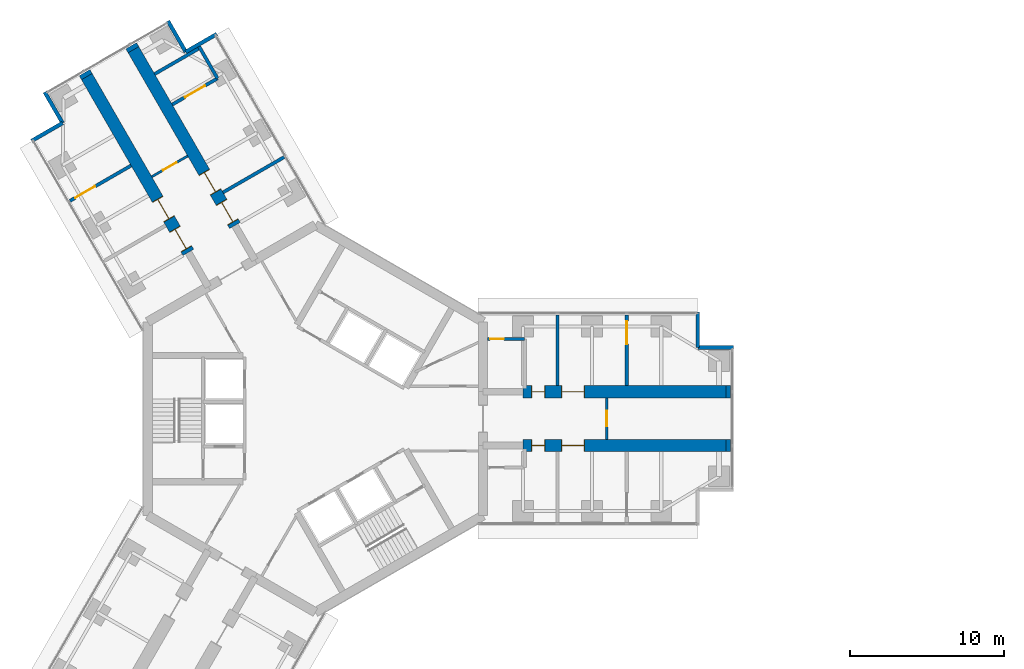
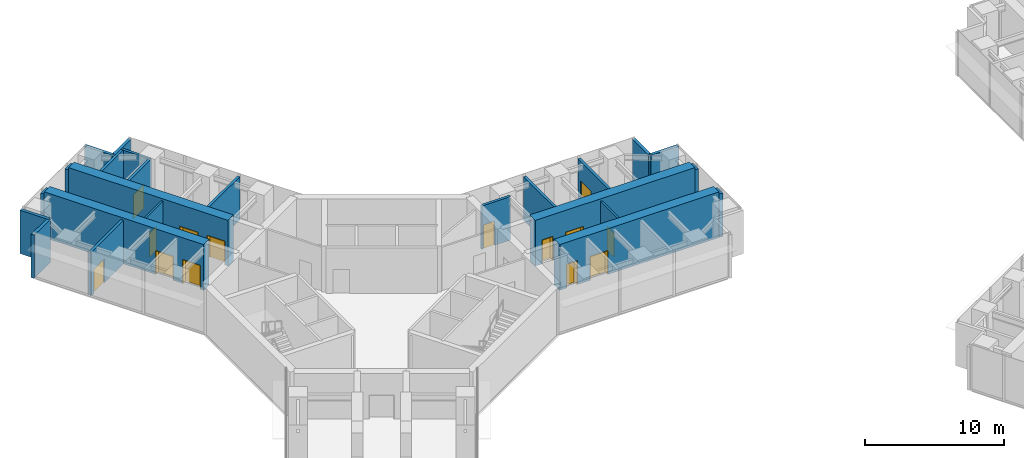
# One storey, part 17 of 21: 24 walls, 14 doors, 14 openings.
"""IFC4 building model written with IfcOpenShell, lengths in metres."""

import ifcopenshell
import ifcopenshell.guid

model = None  # the IFC model being written
_history = None  # IfcOwnerHistory: only IFC2X3 demands one
_inside = {}  # id of a spatial element -> (the spatial element, [elements in it])
_under = {}  # id of a project, library or spatial element -> (it, [spatial elements below it])
_declared = {}  # id of a project -> (the project, [libraries it declares])
_typed = {}  # id of a type object -> (the type object, [elements of that type])
_made_of = {}  # id of a material, layer set ... -> (it, [elements and type objects made of it])


def new_model(schema):
    """Start an empty IFC model of exactly this schema.

    Asked for "IFC4X3", IfcOpenShell would pick the latest addendum, in which some entities
    have other attributes; the version numbers below select the first issue.
    IFC2X3 requires an IfcOwnerHistory on every rooted entity: one is made here for all.
    """
    global model, _history
    if schema == "IFC4X3":
        model = ifcopenshell.file(schema_version=(4, 3, 0, 0))
    else:
        model = ifcopenshell.file(schema=schema)
    _inside.clear()
    _under.clear()
    _declared.clear()
    _typed.clear()
    _made_of.clear()
    _history = None
    if model.schema == "IFC2X3":
        org = make("IfcOrganization", Name="unknown")
        user = make(
            "IfcPersonAndOrganization",
            ThePerson=make("IfcPerson", FamilyName="unknown"),
            TheOrganization=org,
        )
        app = make(
            "IfcApplication",
            ApplicationDeveloper=org,
            Version="unknown",
            ApplicationFullName="unknown",
            ApplicationIdentifier="unknown",
        )
        _history = make(
            "IfcOwnerHistory",
            OwningUser=user,
            OwningApplication=app,
            ChangeAction="ADDED",
            CreationDate=0,
        )
    return model


def make(cls, **values):
    """One entity of the class cls with the attributes given. An attribute that is None is left unset."""
    return model.create_entity(
        cls, **{name: value for name, value in values.items() if value is not None}
    )


def rooted(cls, **values):
    """An entity with a GlobalId (a new one), such as an element, a storey or a relation."""
    return make(cls, GlobalId=ifcopenshell.guid.new(), OwnerHistory=_history, **values)


def si_unit(unit_type, name, prefix=None):
    """IfcSIUnit, for example si_unit("LENGTHUNIT", "METRE", prefix="MILLI")."""
    return make("IfcSIUnit", UnitType=unit_type, Prefix=prefix, Name=name)


def assignment(units):
    """IfcUnitAssignment: the units of a project."""
    return None if units is None else make("IfcUnitAssignment", Units=units)


def point(xyz):
    """IfcCartesianPoint."""
    return None if xyz is None else make("IfcCartesianPoint", Coordinates=xyz)


def direction(xyz):
    """IfcDirection."""
    return None if xyz is None else make("IfcDirection", DirectionRatios=xyz)


def frame(location, z_axis=None, x_axis=None):
    """IfcAxis2Placement3D, a coordinate frame: its origin and axes. An axis left out is left unset."""
    return make(
        "IfcAxis2Placement3D",
        Location=point(location),
        Axis=direction(z_axis),
        RefDirection=direction(x_axis),
    )


def frame_2d(location, x_axis=None):
    """IfcAxis2Placement2D, a coordinate frame in the plane: its origin and x axis."""
    return make(
        "IfcAxis2Placement2D", Location=point(location), RefDirection=direction(x_axis)
    )


def origin():
    """The frame at (0, 0, 0) with its axes left unset."""
    return frame((0.0, 0.0, 0.0))


def place(relative_to, where):
    """IfcLocalPlacement: puts the frame where relative to a parent placement (None: the world)."""
    return make(
        "IfcLocalPlacement", PlacementRelTo=relative_to, RelativePlacement=where
    )


def context(
    kind, dimensions, precision=None, world=None, true_north=None, identifier=None
):
    """IfcGeometricRepresentationContext, for example the 3D "Model" context."""
    return make(
        "IfcGeometricRepresentationContext",
        ContextIdentifier=identifier,
        ContextType=kind,
        CoordinateSpaceDimension=dimensions,
        Precision=precision,
        WorldCoordinateSystem=world,
        TrueNorth=true_north,
    )


def subcontext(parent, identifier, kind, view, scale=None):
    """IfcGeometricRepresentationSubContext, for example "Body" below "Model"."""
    return make(
        "IfcGeometricRepresentationSubContext",
        ContextIdentifier=identifier,
        ContextType=kind,
        ParentContext=parent,
        TargetScale=scale,
        TargetView=view,
    )


def project(units=None, contexts=None):
    """IfcProject with its units and contexts."""
    return rooted(
        "IfcProject",
        Name="project",
        RepresentationContexts=contexts,
        UnitsInContext=assignment(units),
    )


def spatial(cls, under=None, at=None, **own):
    """A site, building, storey or space (cls), placed at a placement, below another one or the project."""
    s = rooted(cls, ObjectPlacement=at, **own)
    if under is not None:
        _under.setdefault(under.id(), (under, []))[1].append(s)
    return s


def profile(cls, at=None, kind="AREA", **sizes):
    """A parametric profile (cls). Its sizes go by their IFC names, for example OverallWidth=200.0."""
    return make(cls, ProfileType=kind, Position=at, **sizes)


def rectangle(**sizes):
    """IfcRectangleProfileDef."""
    return profile("IfcRectangleProfileDef", **sizes)


def extrude(swept, where, along, depth):
    """IfcExtrudedAreaSolid: the profile swept, set in the frame where, extruded along a direction by depth."""
    return make(
        "IfcExtrudedAreaSolid",
        SweptArea=swept,
        Position=where,
        ExtrudedDirection=direction(along),
        Depth=depth,
    )


def shape(context_of_items, identifier, shape_type, items):
    """IfcShapeRepresentation: the items that make up one representation, for example the "Body"."""
    return make(
        "IfcShapeRepresentation",
        ContextOfItems=context_of_items,
        RepresentationIdentifier=identifier,
        RepresentationType=shape_type,
        Items=items,
    )


def material(Name=None, Category=None):
    """IfcMaterial."""
    return make("IfcMaterial", Name=Name, Category=Category)


def layer(
    of_material, thickness, ventilated=None, Name=None, Category=None, Priority=None
):
    """IfcMaterialLayer: one layer of a wall or slab, of a material (None: an air gap)."""
    return make(
        "IfcMaterialLayer",
        Material=of_material,
        LayerThickness=thickness,
        IsVentilated=ventilated,
        Name=Name,
        Category=Category,
        Priority=Priority,
    )


def layer_set(layers, Name=None):
    """IfcMaterialLayerSet."""
    return make("IfcMaterialLayerSet", MaterialLayers=layers, LayerSetName=Name)


def made_of(thing, what):
    """Note that an element or type object is made of a material, layer set ...; save() writes the relation."""
    if what is not None:
        _made_of.setdefault(what.id(), (what, []))[1].append(thing)
    return thing


def type_object(cls, material=None, **own):
    """A type object (cls), such as IfcWallType, which elements share."""
    return made_of(rooted(cls, **own), material)


def element(
    cls,
    number,
    at=None,
    inside=None,
    cuts=None,
    type_object=None,
    material=None,
    context=None,
    identifier="Body",
    shape_type=None,
    held_by="IfcProductDefinitionShape",
    body=None,
    shapes=None,
    **own,
):
    """One element of the class cls, such as IfcWall. Its Tag is "e" and its number.

    at: its placement. inside: the storey or other place that contains it. cuts: it is an
    opening in that element (IfcRelVoidsElement). A single representation is given by context,
    identifier, shape_type and body (its items); several are given by shapes. held_by: the class
    of the entity that holds the representations. save() writes the other relations.
    """
    e = rooted(cls, Tag="e%d" % number, ObjectPlacement=at, **own)
    if body is not None:
        shapes = [shape(context, identifier, shape_type, body)]
    if shapes is not None:
        e.Representation = make(held_by, Representations=shapes)
    if inside is not None:
        _inside.setdefault(inside.id(), (inside, []))[1].append(e)
    if cuts is not None:
        rooted(
            "IfcRelVoidsElement", RelatingBuildingElement=cuts, RelatedOpeningElement=e
        )
    if type_object is not None:
        _typed.setdefault(type_object.id(), (type_object, []))[1].append(e)
    return made_of(e, material)


def fill(opening, filler):
    """IfcRelFillsElement: the door or window that sits in an opening."""
    return rooted(
        "IfcRelFillsElement",
        RelatingOpeningElement=opening,
        RelatedBuildingElement=filler,
    )


def aggregate(whole, parts):
    """IfcRelAggregates: a whole, such as a stair, and the parts it consists of."""
    return rooted("IfcRelAggregates", RelatingObject=whole, RelatedObjects=parts)


def save(model, path):
    """Write the relations noted so far, then the file.

    IfcRelAggregates (storeys below a building ...), IfcRelContainedInSpatialStructure (elements
    in a storey), IfcRelDefinesByType, IfcRelAssociatesMaterial and IfcRelDeclares: one each for
    every whole, place, type object, material and project.
    """
    for whole, parts in _under.values():
        aggregate(whole, parts)
    for where, things in _inside.values():
        rooted(
            "IfcRelContainedInSpatialStructure",
            RelatedElements=things,
            RelatingStructure=where,
        )
    for kind, things in _typed.values():
        rooted("IfcRelDefinesByType", RelatedObjects=things, RelatingType=kind)
    for what, things in _made_of.values():
        rooted("IfcRelAssociatesMaterial", RelatedObjects=things, RelatingMaterial=what)
    for by, libraries in _declared.values():
        rooted("IfcRelDeclares", RelatingContext=by, RelatedDefinitions=libraries)
    model.write(path)


model = new_model("IFC4")

# Units and contexts
model_context = context("Model", 3, precision=1e-05, world=origin(), true_north=direction((0.0, 1.0)))
body_context = subcontext(model_context, "Body", "Model", "MODEL_VIEW")
ifc_project = project(units=[si_unit("LENGTHUNIT", "METRE"), si_unit("AREAUNIT", "SQUARE_METRE"), si_unit("VOLUMEUNIT", "CUBIC_METRE"), si_unit("PLANEANGLEUNIT", "RADIAN"), si_unit("MASSUNIT", "GRAM", prefix="KILO")], contexts=[model_context])

# Site, building, storey
site_placement = place(None, origin())
site = spatial("IfcSite", under=ifc_project, at=site_placement, CompositionType="ELEMENT")
building_placement = place(site_placement, origin())
building = spatial("IfcBuilding", under=site, at=building_placement, Name="Upepo Twin Towers", CompositionType="ELEMENT")
storey_placement = place(building_placement, frame((0.0, 0.0, 113.5)))
storey = spatial("IfcBuildingStorey", under=building, at=storey_placement, Name="L27", CompositionType="ELEMENT", Elevation=113.5)

# Wall
ifc_material_1 = material(Name="Concrete blockwork, plastered both faces", Category="masonry")
ifc_layer_1 = layer(ifc_material_1, 0.215087890625)
ifc_layer_set_1 = layer_set([ifc_layer_1], Name="Blockwork partition 215")
wall_type_1 = type_object("IfcWallType", Name="Blockwork partition 215", PredefinedType="PARTITIONING", material=ifc_layer_set_1)
wall_1_placement = place(storey_placement, frame((15.75, 2.14990234375, 0.0), z_axis=(0.0, 0.0, 1.0), x_axis=(0.0, 1.0, 0.0)))
element("IfcWall", 1, at=wall_1_placement, inside=storey, type_object=wall_type_1, Name="T1 partition AL at 15.75", PredefinedType="PARTITIONING", context=body_context, shape_type="SweptSolid", body=[
    extrude(rectangle(XDim=4.60009765625, YDim=0.215087890625, at=frame_2d((2.300048828125, 0.0))), origin(), (0.0, 0.0, 1.0), 3.800048828125),
])

# Wall, opening, door
wall_2_placement = place(storey_placement, frame((20.25, 2.14990234375, 0.0), z_axis=(0.0, 0.0, 1.0), x_axis=(0.0, 1.0, 0.0)))
wall_2 = element("IfcWall", 2, at=wall_2_placement, inside=storey, type_object=wall_type_1, Name="T1 partition AL at 20.25", PredefinedType="PARTITIONING", context=body_context, shape_type="SweptSolid", body=[
    extrude(rectangle(XDim=4.60009765625, YDim=0.215087890625, at=frame_2d((2.300048828125, 0.0))), origin(), (0.0, 0.0, 1.0), 3.800048828125),
])
opening_1_placement = place(wall_2_placement, frame((2.699951171875, 0.0, 0.0)))
opening_1 = element("IfcOpeningElement", 3, at=opening_1_placement, cuts=wall_2, Name="Opening D13", PredefinedType="OPENING", context=body_context, shape_type="SweptSolid", body=[
    extrude(rectangle(XDim=1.5, YDim=2.10009765625, at=frame_2d((0.75, 1.050048828125))), frame((0.0, 0.117431640625, 0.0), z_axis=(0.0, -1.0, 0.0), x_axis=(1.0, 0.0, 0.0)), (0.0, 0.0, 1.0), 0.235107421875),
])
ifc_material_2 = material(Name="Timber doorset", Category="wood")
door_type_1 = type_object("IfcDoorType", Name="Double door 1500 FD30", OperationType="DOUBLE_DOOR_SINGLE_SWING", PredefinedType="DOOR", material=ifc_material_2)
door_1_placement = place(opening_1_placement, origin())
door_1 = element("IfcDoor", 4, at=door_1_placement, inside=storey, type_object=door_type_1, Name="T1 L27 connecting door", OperationType="DOUBLE_DOOR_SINGLE_SWING", OverallHeight=2.10009765625, OverallWidth=1.5, PredefinedType="DOOR", context=body_context, shape_type="SweptSolid", body=[
    extrude(rectangle(XDim=1.5, YDim=2.10009765625, at=frame_2d((0.75, 1.050048828125))), frame((0.0, 0.02490234375, 0.0), z_axis=(0.0, -1.0, 0.0), x_axis=(1.0, 0.0, 0.0)), (0.0, 0.0, 1.0), 0.050048828125),
])
fill(opening_1, door_1)

wall_3_placement = place(storey_placement, frame((11.2080078125, 5.175048828125, 0.0), z_axis=(0.0, 0.0, 1.0), x_axis=(1.0, 0.0, 0.0)))
wall_3 = element("IfcWall", 5, at=wall_3_placement, inside=storey, type_object=wall_type_1, Name="T1 WC bay partition AL at 11.21", PredefinedType="PARTITIONING", context=body_context, shape_type="SweptSolid", body=[
    extrude(rectangle(XDim=2.39990234375, YDim=0.215087890625, at=frame_2d((1.199951171875, 0.0))), origin(), (0.0, 0.0, 1.0), 3.800048828125),
])
opening_2_placement = place(wall_3_placement, frame((0.14990234375, 0.0, 0.0)))
opening_2 = element("IfcOpeningElement", 6, at=opening_2_placement, cuts=wall_3, Name="Opening D14", PredefinedType="OPENING", context=body_context, shape_type="SweptSolid", body=[
    extrude(rectangle(XDim=0.89990234375, YDim=2.10009765625, at=frame_2d((0.449951171875, 1.050048828125))), frame((0.0, 0.117431640625, 0.0), z_axis=(0.0, -1.0, 0.0), x_axis=(1.0, 0.0, 0.0)), (0.0, 0.0, 1.0), 0.235107421875),
])
ifc_material_3 = material(Name="Timber doorset", Category="wood")
door_type_2 = type_object("IfcDoorType", Name="Office door 900 FD30", OperationType="SINGLE_SWING_LEFT", PredefinedType="DOOR", material=ifc_material_3)
door_2_placement = place(opening_2_placement, origin())
door_2 = element("IfcDoor", 7, at=door_2_placement, inside=storey, type_object=door_type_2, Name="T1 L27 WC bay inner room door", OperationType="SINGLE_SWING_LEFT", OverallHeight=2.10009765625, OverallWidth=0.89990234375, PredefinedType="DOOR", context=body_context, shape_type="SweptSolid", body=[
    extrude(rectangle(XDim=0.89990234375, YDim=2.10009765625, at=frame_2d((0.449951171875, 1.050048828125))), frame((0.0, 0.02490234375, 0.0), z_axis=(0.0, -1.0, 0.0), x_axis=(1.0, 0.0, 0.0)), (0.0, 0.0, 1.0), 0.050048828125),
])
fill(opening_2, door_2)

wall_4_placement = place(storey_placement, frame((-11.987060546875, 16.4619140625, 0.0), z_axis=(0.0, 0.0, 1.0), x_axis=(-0.866039752405, -0.499975146636, 0.0)))
wall_4 = element("IfcWall", 8, at=wall_4_placement, inside=storey, type_object=wall_type_1, Name="T1 partition BL at 20.25", PredefinedType="PARTITIONING", context=body_context, shape_type="SweptSolid", body=[
    extrude(rectangle(XDim=4.599853515625, YDim=0.215087890625, at=frame_2d((2.2998046875, 0.0))), origin(), (0.0, 0.0, 1.0), 3.800048828125),
])
opening_3_placement = place(wall_4_placement, frame((2.699951171875, 0.0, 0.0)))
opening_3 = element("IfcOpeningElement", 9, at=opening_3_placement, cuts=wall_4, Name="Opening D13", PredefinedType="OPENING", context=body_context, shape_type="SweptSolid", body=[
    extrude(rectangle(XDim=1.5, YDim=2.10009765625, at=frame_2d((0.75, 1.050048828125))), frame((0.0, 0.117431640625, 0.0), z_axis=(0.0, -1.0, 0.0), x_axis=(1.0, 0.0, 0.0)), (0.0, 0.0, 1.0), 0.235107421875),
])
door_3_placement = place(opening_3_placement, origin())
door_3 = element("IfcDoor", 10, at=door_3_placement, inside=storey, type_object=door_type_1, Name="T1 L27 connecting door", OperationType="DOUBLE_DOOR_SINGLE_SWING", OverallHeight=2.10009765625, OverallWidth=1.5, PredefinedType="DOOR", context=body_context, shape_type="SweptSolid", body=[
    extrude(rectangle(XDim=1.5, YDim=2.10009765625, at=frame_2d((0.75, 1.050048828125))), frame((0.0, 0.02490234375, 0.0), z_axis=(0.0, -1.0, 0.0), x_axis=(1.0, 0.0, 0.0)), (0.0, 0.0, 1.0), 0.050048828125),
])
fill(opening_3, door_3)

# Walls
wall_5_placement = place(storey_placement, frame((-6.012939453125, 14.71484375, 0.0), z_axis=(0.0, 0.0, 1.0), x_axis=(0.866016770315, 0.500014953309, 0.0)))
element("IfcWall", 11, at=wall_5_placement, inside=storey, type_object=wall_type_1, Name="T1 partition BR at 15.75", PredefinedType="PARTITIONING", context=body_context, shape_type="SweptSolid", body=[
    extrude(rectangle(XDim=4.599853515625, YDim=0.215087890625, at=frame_2d((2.2998046875, 0.0))), origin(), (0.0, 0.0, 1.0), 3.800048828125),
])
wall_6_placement = place(storey_placement, frame((-6.36865234375, 22.130615234375, 0.0), z_axis=(0.0, 0.0, 1.0), x_axis=(-0.499957262057, 0.866050077142, 0.0)))
element("IfcWall", 12, at=wall_6_placement, inside=storey, type_object=wall_type_1, Name="T1 inner room partition BR at 22.35", PredefinedType="PARTITIONING", context=body_context, shape_type="SweptSolid", body=[
    extrude(rectangle(XDim=2.400146484375, YDim=0.215087890625, at=frame_2d((1.2001953125, 0.0))), origin(), (0.0, 0.0, 1.0), 3.800048828125),
])

# Wall, opening, door
wall_7_placement = place(storey_placement, frame((-9.31298828125, 20.4306640625, 0.0), z_axis=(0.0, 0.0, 1.0), x_axis=(0.866020560687, 0.500008388397, 0.0)))
wall_7 = element("IfcWall", 13, at=wall_7_placement, inside=storey, type_object=wall_type_1, Name="T1 inner room partition BR end at 22.35", PredefinedType="PARTITIONING", context=body_context, shape_type="SweptSolid", body=[
    extrude(rectangle(XDim=3.39990234375, YDim=0.215087890625, at=frame_2d((1.699951171875, 0.0))), origin(), (0.0, 0.0, 1.0), 3.800048828125),
])
opening_4_placement = place(wall_7_placement, frame((0.949951171875, 0.0, 0.0)))
opening_4 = element("IfcOpeningElement", 14, at=opening_4_placement, cuts=wall_7, Name="Opening D13", PredefinedType="OPENING", context=body_context, shape_type="SweptSolid", body=[
    extrude(rectangle(XDim=1.5, YDim=2.10009765625, at=frame_2d((0.75, 1.050048828125))), frame((0.0, 0.117431640625, 0.0), z_axis=(0.0, -1.0, 0.0), x_axis=(1.0, 0.0, 0.0)), (0.0, 0.0, 1.0), 0.235107421875),
])
door_4_placement = place(opening_4_placement, origin())
door_4 = element("IfcDoor", 15, at=door_4_placement, inside=storey, type_object=door_type_1, Name="T1 L27 inner room door", OperationType="DOUBLE_DOOR_SINGLE_SWING", OverallHeight=2.10009765625, OverallWidth=1.5, PredefinedType="DOOR", context=body_context, shape_type="SweptSolid", body=[
    extrude(rectangle(XDim=1.5, YDim=2.10009765625, at=frame_2d((0.75, 1.050048828125))), frame((0.0, 0.02490234375, 0.0), z_axis=(0.0, -1.0, 0.0), x_axis=(1.0, 0.0, 0.0)), (0.0, 0.0, 1.0), 0.050048828125),
])
fill(opening_4, door_4)

# Walls
wall_8_placement = place(storey_placement, frame((-10.459228515625, 22.416015625, 0.0), z_axis=(0.0, 0.0, 1.0), x_axis=(0.866020560687, 0.500008388397, 0.0)))
element("IfcWall", 16, at=wall_8_placement, inside=storey, type_object=wall_type_1, Name="T1 inner room partition BR end at 24.75", PredefinedType="PARTITIONING", context=body_context, shape_type="SweptSolid", body=[
    extrude(rectangle(XDim=3.39990234375, YDim=0.215087890625, at=frame_2d((1.699951171875, 0.0))), origin(), (0.0, 0.0, 1.0), 3.800048828125),
])
ifc_material_4 = material(Name="Dense concrete blockwork", Category="masonry")
ifc_layer_2 = layer(ifc_material_4, 0.800048828125)
ifc_layer_set_2 = layer_set([ifc_layer_2], Name="Buttress closer 800, blockwork with fire-stopping to the curtain wall")
wall_type_2 = type_object("IfcWallType", Name="Buttress closer 800, blockwork with fire-stopping to the curtain wall", PredefinedType="PARTITIONING", material=ifc_layer_set_2)
for number, where, z_axis, x_axis, name in (
    (17, (26.699951171875, 1.75, 0.0), (0.0, 0.0, 1.0), (1.0, 0.0, 0.0), "T1 L27 wing A buttress closer L"),
    (18, (26.699951171875, -1.75, 0.0), (0.0, 0.0, 1.0), (1.0, 0.0, 0.0), "T1 L27 wing A buttress closer R"),
    (19, (-14.865478515625, 22.247802734375, 0.0), (0.0, 0.0, 1.0), (-0.500426713919, 0.865778900179, 0.0), "T1 L27 wing B buttress closer L"),
):
    element("IfcWall", number, at=place(storey_placement, frame(where, z_axis=z_axis, x_axis=x_axis)), inside=storey, type_object=wall_type_2, Name=name, PredefinedType="PARTITIONING", context=body_context, shape_type="SweptSolid", body=[
        extrude(rectangle(XDim=0.300048828125, YDim=0.800048828125, at=frame_2d((0.14990234375, 0.0))), origin(), (0.0, 0.0, 1.0), 3.800048828125),
    ])
wall_9_placement = place(storey_placement, frame((-11.83447265625, 23.997802734375, 0.0), z_axis=(0.0, 0.0, 1.0), x_axis=(-0.499816412211, 0.866131372301, 0.0)))
element("IfcWall", 20, at=wall_9_placement, inside=storey, type_object=wall_type_2, Name="T1 L27 wing B buttress closer R", PredefinedType="PARTITIONING", context=body_context, shape_type="SweptSolid", body=[
    extrude(rectangle(XDim=0.2998046875, YDim=0.800048828125, at=frame_2d((0.14990234375, 0.0))), origin(), (0.0, 0.0, 1.0), 3.800048828125),
])

# Wall, openings, doors
ifc_material_5 = material(Name="Concrete C60/75", Category="concrete")
ifc_layer_3 = layer(ifc_material_5, 0.800048828125)
ifc_layer_set_3 = layer_set([ifc_layer_3], Name="Concrete C60/75")
wall_type_3 = type_object("IfcWallType", Name="Buttress wall 800 RC", PredefinedType="SHEAR", material=ifc_layer_set_3)
wall_10_placement = place(storey_placement, frame((13.5, 1.75, 0.0), z_axis=(0.0, 0.0, 1.0), x_axis=(1.0, 0.0, 0.0)))
wall_10 = element("IfcWall", 21, at=wall_10_placement, inside=storey, type_object=wall_type_3, Name="T1 wing A buttress wall L part 2", PredefinedType="SHEAR", context=body_context, shape_type="SweptSolid", body=[
    extrude(rectangle(XDim=13.199951171875, YDim=0.800048828125, at=frame_2d((6.60009765625, 0.0))), origin(), (0.0, 0.0, 1.0), 4.0),
])
opening_5_placement = place(wall_10_placement, frame((0.550048828125, 0.0, 0.0)))
opening_5 = element("IfcOpeningElement", 22, at=opening_5_placement, cuts=wall_10, Name="Opening D11", PredefinedType="OPENING", context=body_context, shape_type="SweptSolid", body=[
    extrude(rectangle(XDim=0.89990234375, YDim=2.10009765625, at=frame_2d((0.449951171875, 1.050048828125))), frame((0.0, 0.409912109375, 0.0), z_axis=(0.0, -1.0, 0.0), x_axis=(1.0, 0.0, 0.0)), (0.0, 0.0, 1.0), 0.820068359375),
])
opening_6_placement = place(wall_10_placement, frame((2.5, 0.0, 0.0)))
opening_6 = element("IfcOpeningElement", 23, at=opening_6_placement, cuts=wall_10, Name="Opening D13", PredefinedType="OPENING", context=body_context, shape_type="SweptSolid", body=[
    extrude(rectangle(XDim=1.5, YDim=2.10009765625, at=frame_2d((0.75, 1.050048828125))), frame((0.0, 0.409912109375, 0.0), z_axis=(0.0, -1.0, 0.0), x_axis=(1.0, 0.0, 0.0)), (0.0, 0.0, 1.0), 0.820068359375),
])
door_5_placement = place(opening_6_placement, origin())
door_5 = element("IfcDoor", 24, at=door_5_placement, inside=storey, type_object=door_type_1, Name="T1 L27 instrument room door", OperationType="DOUBLE_DOOR_SINGLE_SWING", OverallHeight=2.10009765625, OverallWidth=1.5, PredefinedType="DOOR", context=body_context, shape_type="SweptSolid", body=[
    extrude(rectangle(XDim=1.42, YDim=2.06009765625, at=frame_2d((0.75, 1.030029296875))), frame((0.0, 0.02490234375, 0.0), z_axis=(0.0, -1.0, 0.0), x_axis=(1.0, 0.0, 0.0)), (0.0, 0.0, 1.0), 0.050048828125),
    extrude(rectangle(XDim=0.04, YDim=2.10009765625, at=frame_2d((0.02001953125, 1.050048828125))), frame((0.0, 0.39990234375, 0.0), z_axis=(0.0, -1.0, 0.0), x_axis=(1.0, 0.0, 0.0)), (0.0, 0.0, 1.0), 0.799560546875),
    extrude(rectangle(XDim=0.04, YDim=2.10009765625, at=frame_2d((1.47998046875, 1.050048828125))), frame((0.0, 0.39990234375, 0.0), z_axis=(0.0, -1.0, 0.0), x_axis=(1.0, 0.0, 0.0)), (0.0, 0.0, 1.0), 0.799560546875),
    extrude(rectangle(XDim=1.42, YDim=0.04, at=frame_2d((0.75, 2.080078125))), frame((0.0, 0.39990234375, 0.0), z_axis=(0.0, -1.0, 0.0), x_axis=(1.0, 0.0, 0.0)), (0.0, 0.0, 1.0), 0.799560546875),
])
fill(opening_6, door_5)
ifc_material_6 = material(Name="Timber doorset", Category="wood")
door_type_3 = type_object("IfcDoorType", Name="Toilet door 900", OperationType="SINGLE_SWING_LEFT", PredefinedType="DOOR", material=ifc_material_6)
door_6_placement = place(opening_5_placement, origin())
door_6 = element("IfcDoor", 25, at=door_6_placement, inside=storey, type_object=door_type_3, Name="T1 L27 accessible wc door", OperationType="SINGLE_SWING_LEFT", OverallHeight=2.10009765625, OverallWidth=0.89990234375, PredefinedType="DOOR", context=body_context, shape_type="SweptSolid", body=[
    extrude(rectangle(XDim=0.81990234375, YDim=2.06009765625, at=frame_2d((0.449951171875, 1.030029296875))), frame((0.0, 0.02490234375, 0.0), z_axis=(0.0, -1.0, 0.0), x_axis=(1.0, 0.0, 0.0)), (0.0, 0.0, 1.0), 0.050048828125),
    extrude(rectangle(XDim=0.04, YDim=2.10009765625, at=frame_2d((0.02001953125, 1.050048828125))), frame((0.0, 0.39990234375, 0.0), z_axis=(0.0, -1.0, 0.0), x_axis=(1.0, 0.0, 0.0)), (0.0, 0.0, 1.0), 0.799560546875),
    extrude(rectangle(XDim=0.04, YDim=2.10009765625, at=frame_2d((0.8798828125, 1.050048828125))), frame((0.0, 0.39990234375, 0.0), z_axis=(0.0, -1.0, 0.0), x_axis=(1.0, 0.0, 0.0)), (0.0, 0.0, 1.0), 0.799560546875),
    extrude(rectangle(XDim=0.81990234375, YDim=0.04, at=frame_2d((0.449951171875, 2.080078125))), frame((0.0, 0.39990234375, 0.0), z_axis=(0.0, -1.0, 0.0), x_axis=(1.0, 0.0, 0.0)), (0.0, 0.0, 1.0), 0.799560546875),
])
fill(opening_5, door_6)

wall_11_placement = place(storey_placement, frame((13.5, -1.75, 0.0), z_axis=(0.0, 0.0, 1.0), x_axis=(1.0, 0.0, 0.0)))
wall_11 = element("IfcWall", 26, at=wall_11_placement, inside=storey, type_object=wall_type_3, Name="T1 wing A buttress wall R part 2", PredefinedType="SHEAR", context=body_context, shape_type="SweptSolid", body=[
    extrude(rectangle(XDim=13.199951171875, YDim=0.800048828125, at=frame_2d((6.60009765625, 0.0))), origin(), (0.0, 0.0, 1.0), 4.0),
])
opening_7_placement = place(wall_11_placement, frame((0.550048828125, 0.0, 0.0)))
opening_7 = element("IfcOpeningElement", 27, at=opening_7_placement, cuts=wall_11, Name="Opening D11", PredefinedType="OPENING", context=body_context, shape_type="SweptSolid", body=[
    extrude(rectangle(XDim=0.89990234375, YDim=2.10009765625, at=frame_2d((0.449951171875, 1.050048828125))), frame((0.0, 0.409912109375, 0.0), z_axis=(0.0, -1.0, 0.0), x_axis=(1.0, 0.0, 0.0)), (0.0, 0.0, 1.0), 0.820068359375),
])
opening_8_placement = place(wall_11_placement, frame((2.5, 0.0, 0.0)))
opening_8 = element("IfcOpeningElement", 28, at=opening_8_placement, cuts=wall_11, Name="Opening D13", PredefinedType="OPENING", context=body_context, shape_type="SweptSolid", body=[
    extrude(rectangle(XDim=1.5, YDim=2.10009765625, at=frame_2d((0.75, 1.050048828125))), frame((0.0, 0.409912109375, 0.0), z_axis=(0.0, -1.0, 0.0), x_axis=(1.0, 0.0, 0.0)), (0.0, 0.0, 1.0), 0.820068359375),
])
door_7_placement = place(opening_8_placement, origin())
door_7 = element("IfcDoor", 29, at=door_7_placement, inside=storey, type_object=door_type_1, Name="T1 L27 laboratory prep room door", OperationType="DOUBLE_DOOR_SINGLE_SWING", OverallHeight=2.10009765625, OverallWidth=1.5, PredefinedType="DOOR", context=body_context, shape_type="SweptSolid", body=[
    extrude(rectangle(XDim=1.42, YDim=2.06009765625, at=frame_2d((0.75, 1.030029296875))), frame((0.0, 0.02490234375, 0.0), z_axis=(0.0, -1.0, 0.0), x_axis=(1.0, 0.0, 0.0)), (0.0, 0.0, 1.0), 0.050048828125),
    extrude(rectangle(XDim=0.04, YDim=2.10009765625, at=frame_2d((0.02001953125, 1.050048828125))), frame((0.0, 0.39990234375, 0.0), z_axis=(0.0, -1.0, 0.0), x_axis=(1.0, 0.0, 0.0)), (0.0, 0.0, 1.0), 0.799560546875),
    extrude(rectangle(XDim=0.04, YDim=2.10009765625, at=frame_2d((1.47998046875, 1.050048828125))), frame((0.0, 0.39990234375, 0.0), z_axis=(0.0, -1.0, 0.0), x_axis=(1.0, 0.0, 0.0)), (0.0, 0.0, 1.0), 0.799560546875),
    extrude(rectangle(XDim=1.42, YDim=0.04, at=frame_2d((0.75, 2.080078125))), frame((0.0, 0.39990234375, 0.0), z_axis=(0.0, -1.0, 0.0), x_axis=(1.0, 0.0, 0.0)), (0.0, 0.0, 1.0), 0.799560546875),
])
fill(opening_8, door_7)
door_8_placement = place(opening_7_placement, origin())
door_8 = element("IfcDoor", 30, at=door_8_placement, inside=storey, type_object=door_type_3, Name="T1 L27 toilets door", OperationType="SINGLE_SWING_LEFT", OverallHeight=2.10009765625, OverallWidth=0.89990234375, PredefinedType="DOOR", context=body_context, shape_type="SweptSolid", body=[
    extrude(rectangle(XDim=0.81990234375, YDim=2.06009765625, at=frame_2d((0.449951171875, 1.030029296875))), frame((0.0, 0.02490234375, 0.0), z_axis=(0.0, -1.0, 0.0), x_axis=(1.0, 0.0, 0.0)), (0.0, 0.0, 1.0), 0.050048828125),
    extrude(rectangle(XDim=0.04, YDim=2.10009765625, at=frame_2d((0.02001953125, 1.050048828125))), frame((0.0, 0.39990234375, 0.0), z_axis=(0.0, -1.0, 0.0), x_axis=(1.0, 0.0, 0.0)), (0.0, 0.0, 1.0), 0.799560546875),
    extrude(rectangle(XDim=0.04, YDim=2.10009765625, at=frame_2d((0.8798828125, 1.050048828125))), frame((0.0, 0.39990234375, 0.0), z_axis=(0.0, -1.0, 0.0), x_axis=(1.0, 0.0, 0.0)), (0.0, 0.0, 1.0), 0.799560546875),
    extrude(rectangle(XDim=0.81990234375, YDim=0.04, at=frame_2d((0.449951171875, 2.080078125))), frame((0.0, 0.39990234375, 0.0), z_axis=(0.0, -1.0, 0.0), x_axis=(1.0, 0.0, 0.0)), (0.0, 0.0, 1.0), 0.799560546875),
])
fill(opening_7, door_8)

wall_12_placement = place(storey_placement, frame((-8.265625, 10.81640625, 0.0), z_axis=(0.0, 0.0, 1.0), x_axis=(-0.499996231654, 0.866027579429, 0.0)))
wall_12 = element("IfcWall", 31, at=wall_12_placement, inside=storey, type_object=wall_type_3, Name="T1 wing B buttress wall L part 2", PredefinedType="SHEAR", context=body_context, shape_type="SweptSolid", body=[
    extrude(rectangle(XDim=13.19970703125, YDim=0.800048828125, at=frame_2d((6.599853515625, 0.0))), origin(), (0.0, 0.0, 1.0), 4.0),
])
opening_9_placement = place(wall_12_placement, frame((0.25, 0.0, 0.0)))
opening_9 = element("IfcOpeningElement", 32, at=opening_9_placement, cuts=wall_12, Name="Opening D13", PredefinedType="OPENING", context=body_context, shape_type="SweptSolid", body=[
    extrude(rectangle(XDim=1.5, YDim=2.10009765625, at=frame_2d((0.75, 1.050048828125))), frame((0.0, 0.409912109375, 0.0), z_axis=(0.0, -1.0, 0.0), x_axis=(1.0, 0.0, 0.0)), (0.0, 0.0, 1.0), 0.820068359375),
])
opening_10_placement = place(wall_12_placement, frame((2.5, 0.0, 0.0)))
opening_10 = element("IfcOpeningElement", 33, at=opening_10_placement, cuts=wall_12, Name="Opening D13", PredefinedType="OPENING", context=body_context, shape_type="SweptSolid", body=[
    extrude(rectangle(XDim=1.5, YDim=2.10009765625, at=frame_2d((0.75, 1.050048828125))), frame((0.0, 0.409912109375, 0.0), z_axis=(0.0, -1.0, 0.0), x_axis=(1.0, 0.0, 0.0)), (0.0, 0.0, 1.0), 0.820068359375),
])
door_9_placement = place(opening_9_placement, origin())
door_9 = element("IfcDoor", 34, at=door_9_placement, inside=storey, type_object=door_type_1, Name="T1 L27 instrument room door", OperationType="DOUBLE_DOOR_SINGLE_SWING", OverallHeight=2.10009765625, OverallWidth=1.5, PredefinedType="DOOR", context=body_context, shape_type="SweptSolid", body=[
    extrude(rectangle(XDim=1.42, YDim=2.06009765625, at=frame_2d((0.75, 1.030029296875))), frame((0.0, 0.02490234375, 0.0), z_axis=(0.0, -1.0, 0.0), x_axis=(1.0, 0.0, 0.0)), (0.0, 0.0, 1.0), 0.050048828125),
    extrude(rectangle(XDim=0.04, YDim=2.10009765625, at=frame_2d((0.02001953125, 1.050048828125))), frame((0.0, 0.39990234375, 0.0), z_axis=(0.0, -1.0, 0.0), x_axis=(1.0, 0.0, 0.0)), (0.0, 0.0, 1.0), 0.799560546875),
    extrude(rectangle(XDim=0.04, YDim=2.10009765625, at=frame_2d((1.47998046875, 1.050048828125))), frame((0.0, 0.39990234375, 0.0), z_axis=(0.0, -1.0, 0.0), x_axis=(1.0, 0.0, 0.0)), (0.0, 0.0, 1.0), 0.799560546875),
    extrude(rectangle(XDim=1.42, YDim=0.04, at=frame_2d((0.75, 2.080078125))), frame((0.0, 0.39990234375, 0.0), z_axis=(0.0, -1.0, 0.0), x_axis=(1.0, 0.0, 0.0)), (0.0, 0.0, 1.0), 0.799560546875),
])
fill(opening_9, door_9)
door_10_placement = place(opening_10_placement, origin())
door_10 = element("IfcDoor", 35, at=door_10_placement, inside=storey, type_object=door_type_1, Name="T1 L27 write-up room door", OperationType="DOUBLE_DOOR_SINGLE_SWING", OverallHeight=2.10009765625, OverallWidth=1.5, PredefinedType="DOOR", context=body_context, shape_type="SweptSolid", body=[
    extrude(rectangle(XDim=1.42, YDim=2.06009765625, at=frame_2d((0.75, 1.030029296875))), frame((0.0, 0.02490234375, 0.0), z_axis=(0.0, -1.0, 0.0), x_axis=(1.0, 0.0, 0.0)), (0.0, 0.0, 1.0), 0.050048828125),
    extrude(rectangle(XDim=0.04, YDim=2.10009765625, at=frame_2d((0.02001953125, 1.050048828125))), frame((0.0, 0.39990234375, 0.0), z_axis=(0.0, -1.0, 0.0), x_axis=(1.0, 0.0, 0.0)), (0.0, 0.0, 1.0), 0.799560546875),
    extrude(rectangle(XDim=0.04, YDim=2.10009765625, at=frame_2d((1.47998046875, 1.050048828125))), frame((0.0, 0.39990234375, 0.0), z_axis=(0.0, -1.0, 0.0), x_axis=(1.0, 0.0, 0.0)), (0.0, 0.0, 1.0), 0.799560546875),
    extrude(rectangle(XDim=1.42, YDim=0.04, at=frame_2d((0.75, 2.080078125))), frame((0.0, 0.39990234375, 0.0), z_axis=(0.0, -1.0, 0.0), x_axis=(1.0, 0.0, 0.0)), (0.0, 0.0, 1.0), 0.799560546875),
])
fill(opening_10, door_10)

wall_13_placement = place(storey_placement, frame((-5.234375, 12.56640625, 0.0), z_axis=(0.0, 0.0, 1.0), x_axis=(-0.500010103361, 0.866019570528, 0.0)))
wall_13 = element("IfcWall", 36, at=wall_13_placement, inside=storey, type_object=wall_type_3, Name="T1 wing B buttress wall R part 2", PredefinedType="SHEAR", context=body_context, shape_type="SweptSolid", body=[
    extrude(rectangle(XDim=13.199951171875, YDim=0.800048828125, at=frame_2d((6.60009765625, 0.0))), origin(), (0.0, 0.0, 1.0), 4.0),
])
opening_11_placement = place(wall_13_placement, frame((0.25, 0.0, 0.0)))
opening_11 = element("IfcOpeningElement", 37, at=opening_11_placement, cuts=wall_13, Name="Opening D13", PredefinedType="OPENING", context=body_context, shape_type="SweptSolid", body=[
    extrude(rectangle(XDim=1.5, YDim=2.10009765625, at=frame_2d((0.75, 1.050048828125))), frame((0.0, 0.409912109375, 0.0), z_axis=(0.0, -1.0, 0.0), x_axis=(1.0, 0.0, 0.0)), (0.0, 0.0, 1.0), 0.820068359375),
])
opening_12_placement = place(wall_13_placement, frame((2.5, 0.0, 0.0)))
opening_12 = element("IfcOpeningElement", 38, at=opening_12_placement, cuts=wall_13, Name="Opening D13", PredefinedType="OPENING", context=body_context, shape_type="SweptSolid", body=[
    extrude(rectangle(XDim=1.5, YDim=2.10009765625, at=frame_2d((0.75, 1.050048828125))), frame((0.0, 0.409912109375, 0.0), z_axis=(0.0, -1.0, 0.0), x_axis=(1.0, 0.0, 0.0)), (0.0, 0.0, 1.0), 0.820068359375),
])
door_11_placement = place(opening_11_placement, origin())
door_11 = element("IfcDoor", 39, at=door_11_placement, inside=storey, type_object=door_type_1, Name="T1 L27 research laboratory door", OperationType="DOUBLE_DOOR_SINGLE_SWING", OverallHeight=2.10009765625, OverallWidth=1.5, PredefinedType="DOOR", context=body_context, shape_type="SweptSolid", body=[
    extrude(rectangle(XDim=1.42, YDim=2.06009765625, at=frame_2d((0.75, 1.030029296875))), frame((0.0, 0.02490234375, 0.0), z_axis=(0.0, -1.0, 0.0), x_axis=(1.0, 0.0, 0.0)), (0.0, 0.0, 1.0), 0.050048828125),
    extrude(rectangle(XDim=0.04, YDim=2.10009765625, at=frame_2d((0.02001953125, 1.050048828125))), frame((0.0, 0.39990234375, 0.0), z_axis=(0.0, -1.0, 0.0), x_axis=(1.0, 0.0, 0.0)), (0.0, 0.0, 1.0), 0.799560546875),
    extrude(rectangle(XDim=0.04, YDim=2.10009765625, at=frame_2d((1.47998046875, 1.050048828125))), frame((0.0, 0.39990234375, 0.0), z_axis=(0.0, -1.0, 0.0), x_axis=(1.0, 0.0, 0.0)), (0.0, 0.0, 1.0), 0.799560546875),
    extrude(rectangle(XDim=1.42, YDim=0.04, at=frame_2d((0.75, 2.080078125))), frame((0.0, 0.39990234375, 0.0), z_axis=(0.0, -1.0, 0.0), x_axis=(1.0, 0.0, 0.0)), (0.0, 0.0, 1.0), 0.799560546875),
])
fill(opening_11, door_11)
door_12_placement = place(opening_12_placement, origin())
door_12 = element("IfcDoor", 40, at=door_12_placement, inside=storey, type_object=door_type_1, Name="T1 L27 research laboratory door", OperationType="DOUBLE_DOOR_SINGLE_SWING", OverallHeight=2.10009765625, OverallWidth=1.5, PredefinedType="DOOR", context=body_context, shape_type="SweptSolid", body=[
    extrude(rectangle(XDim=1.42, YDim=2.06009765625, at=frame_2d((0.75, 1.030029296875))), frame((0.0, 0.02490234375, 0.0), z_axis=(0.0, -1.0, 0.0), x_axis=(1.0, 0.0, 0.0)), (0.0, 0.0, 1.0), 0.050048828125),
    extrude(rectangle(XDim=0.04, YDim=2.10009765625, at=frame_2d((0.02001953125, 1.050048828125))), frame((0.0, 0.39990234375, 0.0), z_axis=(0.0, -1.0, 0.0), x_axis=(1.0, 0.0, 0.0)), (0.0, 0.0, 1.0), 0.799560546875),
    extrude(rectangle(XDim=0.04, YDim=2.10009765625, at=frame_2d((1.47998046875, 1.050048828125))), frame((0.0, 0.39990234375, 0.0), z_axis=(0.0, -1.0, 0.0), x_axis=(1.0, 0.0, 0.0)), (0.0, 0.0, 1.0), 0.799560546875),
    extrude(rectangle(XDim=1.42, YDim=0.04, at=frame_2d((0.75, 2.080078125))), frame((0.0, 0.39990234375, 0.0), z_axis=(0.0, -1.0, 0.0), x_axis=(1.0, 0.0, 0.0)), (0.0, 0.0, 1.0), 0.799560546875),
])
fill(opening_12, door_12)

# Walls
ifc_material_7 = material(Name="Blockwork with anodised aluminium cladding", Category="masonry")
ifc_layer_4 = layer(ifc_material_7, 0.25)
ifc_layer_set_4 = layer_set([ifc_layer_4], Name="Notch cladding wall 250, pale metal")
wall_type_4 = type_object("IfcWallType", Name="Notch cladding wall 250, pale metal", PredefinedType="STANDARD", material=ifc_layer_set_4)
for number, where, z_axis, x_axis, name in (
    (41, (24.875, 6.949951171875, 0.0), (0.0, 0.0, 1.0), (0.0, -1.0, 0.0), "T1 L27 wing A notch wall L1"),
    (42, (24.875, 4.625, 0.0), (0.0, 0.0, 1.0), (1.0, 0.0, 0.0), "T1 L27 wing A notch wall L2"),
    (43, (-18.456298828125, 18.0673828125, 0.0), (0.0, 0.0, 1.0), (0.865998469481, 0.500046648681, 0.0), "T1 L27 wing B notch wall L1"),
    (44, (-16.44287109375, 19.22998046875, 0.0), (0.0, 0.0, 1.0), (-0.500046648681, 0.865998469481, 0.0), "T1 L27 wing B notch wall L2"),
    (45, (-6.418701171875, 25.017333984375, 0.0), (0.0, 0.0, 1.0), (-0.866043940782, -0.499967891604, 0.0), "T1 L27 wing B notch wall R1"),
    (46, (-8.43212890625, 23.85498046875, 0.0), (0.0, 0.0, 1.0), (-0.500046648681, 0.865998469481, 0.0), "T1 L27 wing B notch wall R2"),
):
    element("IfcWall", number, at=place(storey_placement, frame(where, z_axis=z_axis, x_axis=x_axis)), inside=storey, type_object=wall_type_4, Name=name, PredefinedType="STANDARD", context=body_context, shape_type="SweptSolid", body=[
        extrude(rectangle(XDim=2.324951171875, YDim=0.25, at=frame_2d((1.16259765625, 0.0))), origin(), (0.0, 0.0, 1.0), 3.800048828125),
    ])

# Wall, opening, door
ifc_material_8 = material(Name="Gypsum board on steel studs", Category="steel")
ifc_layer_5 = layer(ifc_material_8, 0.14990234375)
ifc_layer_set_5 = layer_set([ifc_layer_5], Name="Teaching partition 150 acoustic")
wall_type_5 = type_object("IfcWallType", Name="Teaching partition 150 acoustic", PredefinedType="PARTITIONING", material=ifc_layer_set_5)
wall_14_placement = place(storey_placement, frame((18.949951171875, -1.35009765625, 0.0), z_axis=(0.0, 0.0, 1.0), x_axis=(0.0, 1.0, 0.0)))
wall_14 = element("IfcWall", 47, at=wall_14_placement, inside=storey, type_object=wall_type_5, Name="T1 corridor end partition A at 18.95", PredefinedType="PARTITIONING", context=body_context, shape_type="SweptSolid", body=[
    extrude(rectangle(XDim=2.7001953125, YDim=0.14990234375, at=frame_2d((1.35009765625, 0.0))), origin(), (0.0, 0.0, 1.0), 3.800048828125),
])
opening_13_placement = place(wall_14_placement, frame((0.85009765625, 0.0, 0.0)))
opening_13 = element("IfcOpeningElement", 48, at=opening_13_placement, cuts=wall_14, Name="Opening D1", PredefinedType="OPENING", context=body_context, shape_type="SweptSolid", body=[
    extrude(rectangle(XDim=1.0, YDim=2.10009765625, at=frame_2d((0.5, 1.050048828125))), frame((0.0, 0.0849609375, 0.0), z_axis=(0.0, -1.0, 0.0), x_axis=(1.0, 0.0, 0.0)), (0.0, 0.0, 1.0), 0.169921875),
])
ifc_material_9 = material(Name="Timber doorset", Category="wood")
door_type_4 = type_object("IfcDoorType", Name="Room door 1000 FD30", OperationType="SINGLE_SWING_LEFT", PredefinedType="DOOR", material=ifc_material_9)
door_13_placement = place(opening_13_placement, origin())
door_13 = element("IfcDoor", 49, at=door_13_placement, inside=storey, type_object=door_type_4, Name="T1 L27 breakout study room door", OperationType="SINGLE_SWING_LEFT", OverallHeight=2.10009765625, OverallWidth=1.0, PredefinedType="DOOR", context=body_context, shape_type="SweptSolid", body=[
    extrude(rectangle(XDim=1.0, YDim=2.10009765625, at=frame_2d((0.5, 1.050048828125))), frame((0.0, 0.02490234375, 0.0), z_axis=(0.0, -1.0, 0.0), x_axis=(1.0, 0.0, 0.0)), (0.0, 0.0, 1.0), 0.050048828125),
])
fill(opening_13, door_13)

wall_15_placement = place(storey_placement, frame((-8.305908203125, 17.086181640625, 0.0), z_axis=(0.0, 0.0, 1.0), x_axis=(-0.86599734893, -0.500048589285, 0.0)))
wall_15 = element("IfcWall", 50, at=wall_15_placement, inside=storey, type_object=wall_type_5, Name="T1 corridor end partition B at 18.95", PredefinedType="PARTITIONING", context=body_context, shape_type="SweptSolid", body=[
    extrude(rectangle(XDim=2.699951171875, YDim=0.14990234375, at=frame_2d((1.35009765625, 0.0))), origin(), (0.0, 0.0, 1.0), 3.800048828125),
])
opening_14_placement = place(wall_15_placement, frame((0.85009765625, 0.0, 0.0)))
opening_14 = element("IfcOpeningElement", 51, at=opening_14_placement, cuts=wall_15, Name="Opening D1", PredefinedType="OPENING", context=body_context, shape_type="SweptSolid", body=[
    extrude(rectangle(XDim=1.0, YDim=2.10009765625, at=frame_2d((0.5, 1.050048828125))), frame((0.0, 0.0849609375, 0.0), z_axis=(0.0, -1.0, 0.0), x_axis=(1.0, 0.0, 0.0)), (0.0, 0.0, 1.0), 0.169921875),
])
door_14_placement = place(opening_14_placement, origin())
door_14 = element("IfcDoor", 52, at=door_14_placement, inside=storey, type_object=door_type_4, Name="T1 L27 breakout study room door", OperationType="SINGLE_SWING_RIGHT", OverallHeight=2.10009765625, OverallWidth=1.0, PredefinedType="DOOR", context=body_context, shape_type="SweptSolid", body=[
    extrude(rectangle(XDim=1.0, YDim=2.10009765625, at=frame_2d((0.5, 1.050048828125))), frame((0.0, 0.02490234375, 0.0), z_axis=(0.0, -1.0, 0.0), x_axis=(1.0, 0.0, 0.0)), (0.0, 0.0, 1.0), 0.050048828125),
])
fill(opening_14, door_14)

save(model, "model.ifc")
